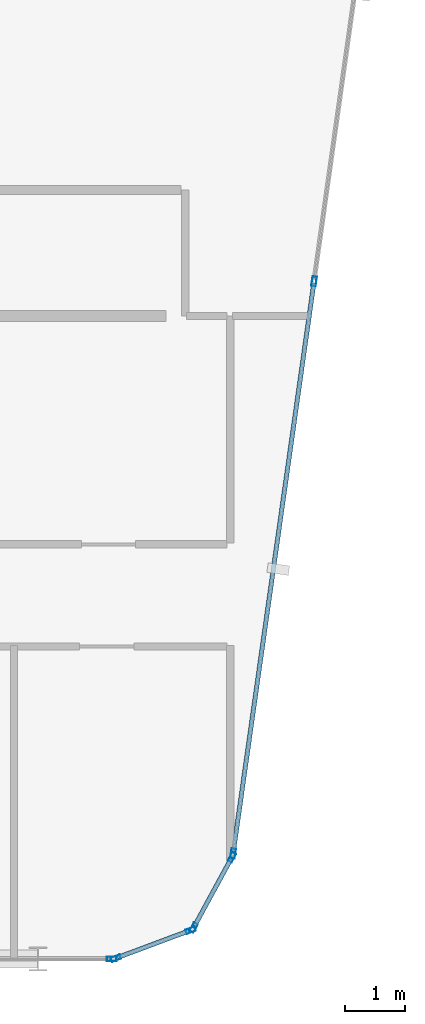
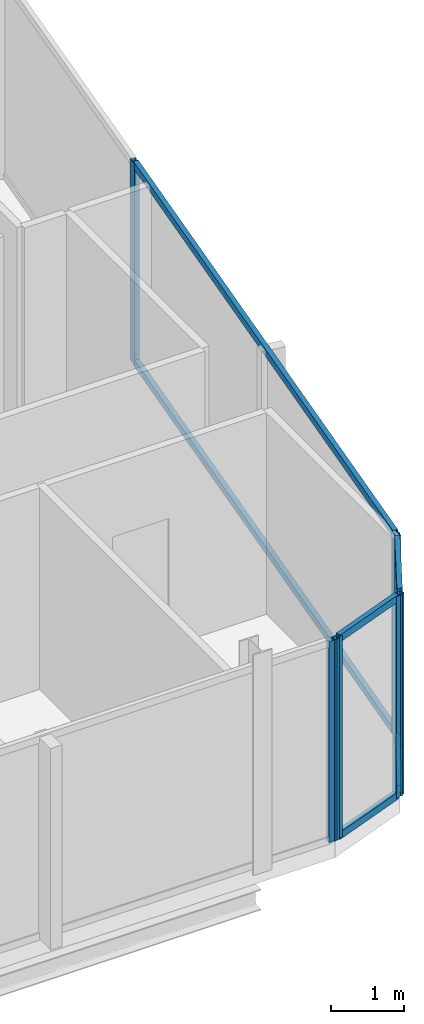
# One storey, part 12 of 27: 13 members, 4 elements without a shape of their own.
"""IFC4 building model written with IfcOpenShell, lengths in metres."""

from ifc_helpers import new_model, si_unit, direction, frame, origin, origin_2d, place, context, subcontext, project, spatial, hollow_rectangle, extrude, material, layer, layer_set, material_profile, profile_set, type_object, element, aggregate, save


model = new_model("IFC4")

# Units and contexts
model_context = context("Model", 3, precision=1e-05, world=origin(), true_north=direction((0.0, 1.0)))
body_context = subcontext(model_context, "Body", "Model", "MODEL_VIEW")
ifc_project = project(units=[si_unit("LENGTHUNIT", "METRE"), si_unit("AREAUNIT", "SQUARE_METRE"), si_unit("VOLUMEUNIT", "CUBIC_METRE"), si_unit("PLANEANGLEUNIT", "RADIAN"), si_unit("MASSUNIT", "GRAM", prefix="KILO")], contexts=[model_context])

# Site, building, storey
site_placement = place(None, origin())
site = spatial("IfcSite", under=ifc_project, at=site_placement, CompositionType="ELEMENT")
building_placement = place(site_placement, origin())
building = spatial("IfcBuilding", under=site, at=building_placement, Name="Keshet Zoharim Tower", CompositionType="ELEMENT")
storey_placement = place(building_placement, frame((0.0, 0.0, 295.39990234375)))
storey = spatial("IfcBuildingStorey", under=building, at=storey_placement, Name="L74", CompositionType="ELEMENT", Elevation=295.39990234375)

# Curtain wall, members
ifc_material = material(Name="Aluminium 6063-T6", Category="aluminium")
ifc_layer = layer(ifc_material, 0.260009765625)
ifc_layer_set = layer_set([ifc_layer], Name="Aluminium 6063-T6")
curtain_wall_type = type_object("IfcCurtainWallType", Name="CW-SYS-06", PredefinedType="NOTDEFINED", material=ifc_layer_set)
curtain_wall_1_placement = place(storey_placement, origin())
curtain_wall_1 = element("IfcCurtainWall", 1, at=curtain_wall_1_placement, inside=storey, type_object=curtain_wall_type, Name="L74 Unitised Curtain Wall 11", PredefinedType="NOTDEFINED")
ifc_material_profile_1 = material_profile(ifc_material, hollow_rectangle(XDim=0.074951171875, YDim=0.159912109375, WallThickness=0.00390625, at=origin_2d()), Name="MUL-75x160")
ifc_profile_set_1 = profile_set([ifc_material_profile_1], Name="Aluminium 6063-T6")
member_type_1 = type_object("IfcMemberType", Name="CWM-M15", PredefinedType="MULLION", material=ifc_profile_set_1)
member_1_placement = place(storey_placement, frame((43.595458984375, 17.97607421875, 0.0), z_axis=(0.0, 0.0, 1.0), x_axis=(0.990132057422, -0.140137464177, 0.0)))
member_1 = element("IfcMember", 2, at=member_1_placement, type_object=member_type_1, Name="CW-06 mullion 2", PredefinedType="MULLION", context=body_context, shape_type="SweptSolid", body=[
    extrude(hollow_rectangle(XDim=0.074951171875, YDim=0.159912109375, WallThickness=0.00390625, at=origin_2d()), origin(), (0.0, 0.0, 1.0), 3.380126953125),
])
member_2_placement = place(storey_placement, frame((42.247802734375, 8.45458984375, 0.0), z_axis=(0.0, 0.0, 1.0), x_axis=(0.990132057422, -0.140137464177, 0.0)))
member_2 = element("IfcMember", 3, at=member_2_placement, type_object=member_type_1, Name="CW-06 mullion 3", PredefinedType="MULLION", context=body_context, shape_type="SweptSolid", body=[
    extrude(hollow_rectangle(XDim=0.074951171875, YDim=0.159912109375, WallThickness=0.00390625, at=origin_2d()), origin(), (0.0, 0.0, 1.0), 3.380126953125),
])

curtain_wall_2_placement = place(storey_placement, origin())
curtain_wall_2 = element("IfcCurtainWall", 4, at=curtain_wall_2_placement, inside=storey, type_object=curtain_wall_type, Name="L74 Unitised Curtain Wall 12", PredefinedType="NOTDEFINED")
member_3_placement = place(storey_placement, frame((42.226318359375, 8.38916015625, 0.0), z_axis=(0.0, 0.0, 1.0), x_axis=(0.878468125004, -0.477800955789, 0.0)))
member_3 = element("IfcMember", 5, at=member_3_placement, type_object=member_type_1, Name="CW-06 mullion 1", PredefinedType="MULLION", context=body_context, shape_type="SweptSolid", body=[
    extrude(hollow_rectangle(XDim=0.074951171875, YDim=0.159912109375, WallThickness=0.00390625, at=origin_2d()), origin(), (0.0, 0.0, 1.0), 3.380126953125),
])
member_4_placement = place(storey_placement, frame((41.5908203125, 7.220703125, 0.0), z_axis=(0.0, 0.0, 1.0), x_axis=(0.878468125004, -0.477800955789, 0.0)))
member_4 = element("IfcMember", 6, at=member_4_placement, type_object=member_type_1, Name="CW-06 mullion 2", PredefinedType="MULLION", context=body_context, shape_type="SweptSolid", body=[
    extrude(hollow_rectangle(XDim=0.074951171875, YDim=0.159912109375, WallThickness=0.00390625, at=origin_2d()), origin(), (0.0, 0.0, 1.0), 3.380126953125),
])

curtain_wall_3_placement = place(storey_placement, origin())
curtain_wall_3 = element("IfcCurtainWall", 7, at=curtain_wall_3_placement, inside=storey, type_object=curtain_wall_type, Name="L74 Unitised Curtain Wall 13", PredefinedType="NOTDEFINED")
member_5_placement = place(storey_placement, frame((41.541259765625, 7.177734375, 0.0), z_axis=(0.0, 0.0, 1.0), x_axis=(0.350105315376, -0.936710343781, 0.0)))
member_5 = element("IfcMember", 8, at=member_5_placement, type_object=member_type_1, Name="CW-06 mullion 1", PredefinedType="MULLION", context=body_context, shape_type="SweptSolid", body=[
    extrude(hollow_rectangle(XDim=0.074951171875, YDim=0.159912109375, WallThickness=0.00390625, at=origin_2d()), origin(), (0.0, 0.0, 1.0), 3.380126953125),
])
member_6_placement = place(storey_placement, frame((40.2958984375, 6.712158203125, 0.0), z_axis=(0.0, 0.0, 1.0), x_axis=(0.350105315376, -0.936710343781, 0.0)))
member_6 = element("IfcMember", 9, at=member_6_placement, type_object=member_type_1, Name="CW-06 mullion 2", PredefinedType="MULLION", context=body_context, shape_type="SweptSolid", body=[
    extrude(hollow_rectangle(XDim=0.074951171875, YDim=0.159912109375, WallThickness=0.00390625, at=origin_2d()), origin(), (0.0, 0.0, 1.0), 3.380126953125),
])

# Curtain wall, member
curtain_wall_4_placement = place(storey_placement, origin())
curtain_wall_4 = element("IfcCurtainWall", 10, at=curtain_wall_4_placement, inside=storey, type_object=curtain_wall_type, Name="L74 Unitised Curtain Wall 14", PredefinedType="NOTDEFINED")
member_7_placement = place(storey_placement, frame((40.22802734375, 6.699951171875, 0.0), z_axis=(0.0, 0.0, 1.0), x_axis=(0.0, -1.0, 0.0)))
member_7 = element("IfcMember", 11, at=member_7_placement, type_object=member_type_1, Name="CW-06 mullion 1", PredefinedType="MULLION", context=body_context, shape_type="SweptSolid", body=[
    extrude(hollow_rectangle(XDim=0.074951171875, YDim=0.159912109375, WallThickness=0.00390625, at=origin_2d()), origin(), (0.0, 0.0, 1.0), 3.380126953125),
])
aggregate(curtain_wall_4, [member_7])

# Member
ifc_material_profile_2 = material_profile(ifc_material, hollow_rectangle(XDim=0.074951171875, YDim=0.1201171875, WallThickness=0.00390625, at=origin_2d()), Name="TRN-75x120")
ifc_profile_set_2 = profile_set([ifc_material_profile_2], Name="Aluminium 6063-T6")
member_type_2 = type_object("IfcMemberType", Name="CWT-T12", PredefinedType="USERDEFINED", material=ifc_profile_set_2)
member_8_placement = place(storey_placement, frame((43.590576171875, 17.94140625, 0.03515625), z_axis=(-0.14012154881, -0.990134309859, 0.0), x_axis=(0.990134309859, -0.14012154881, 0.0)))
member_8 = element("IfcMember", 12, at=member_8_placement, type_object=member_type_2, Name="CW-06 transom 2.1", ObjectType="TRANSOM", PredefinedType="USERDEFINED", context=body_context, shape_type="SweptSolid", body=[
    extrude(hollow_rectangle(XDim=0.074951171875, YDim=0.1201171875, WallThickness=0.00390625, at=origin_2d()), origin(), (0.0, 0.0, 1.0), 9.54638671875),
])

member_9_placement = place(storey_placement, frame((43.590576171875, 17.94140625, 3.34521484375), z_axis=(-0.14012154881, -0.990134309859, 0.0), x_axis=(0.990134309859, -0.14012154881, 0.0)))
member_9 = element("IfcMember", 13, at=member_9_placement, type_object=member_type_2, Name="CW-06 transom 2.2", ObjectType="TRANSOM", PredefinedType="USERDEFINED", context=body_context, shape_type="SweptSolid", body=[
    extrude(hollow_rectangle(XDim=0.074951171875, YDim=0.1201171875, WallThickness=0.00390625, at=origin_2d()), origin(), (0.0, 0.0, 1.0), 9.54638671875),
])

aggregate(curtain_wall_1, [member_1, member_2, member_8, member_9])

member_10_placement = place(storey_placement, frame((42.20947265625, 8.3583984375, 0.03515625), z_axis=(-0.47779293276, -0.878472488701, 0.0), x_axis=(0.878472488701, -0.47779293276, 0.0)))
member_10 = element("IfcMember", 14, at=member_10_placement, type_object=member_type_2, Name="CW-06 transom 1.1", ObjectType="TRANSOM", PredefinedType="USERDEFINED", context=body_context, shape_type="SweptSolid", body=[
    extrude(hollow_rectangle(XDim=0.074951171875, YDim=0.1201171875, WallThickness=0.00390625, at=origin_2d()), origin(), (0.0, 0.0, 1.0), 1.260009765625),
])

member_11_placement = place(storey_placement, frame((42.20947265625, 8.3583984375, 3.34521484375), z_axis=(-0.47779293276, -0.878472488701, 0.0), x_axis=(0.878472488701, -0.47779293276, 0.0)))
member_11 = element("IfcMember", 15, at=member_11_placement, type_object=member_type_2, Name="CW-06 transom 1.2", ObjectType="TRANSOM", PredefinedType="USERDEFINED", context=body_context, shape_type="SweptSolid", body=[
    extrude(hollow_rectangle(XDim=0.074951171875, YDim=0.1201171875, WallThickness=0.00390625, at=origin_2d()), origin(), (0.0, 0.0, 1.0), 1.260009765625),
])

aggregate(curtain_wall_2, [member_3, member_4, member_10, member_11])

member_12_placement = place(storey_placement, frame((41.508544921875, 7.16552734375, 0.03515625), z_axis=(-0.93673477759, -0.350039935512, 0.0), x_axis=(0.350039935512, -0.93673477759, 0.0)))
member_12 = element("IfcMember", 16, at=member_12_placement, type_object=member_type_2, Name="CW-06 transom 1.1", ObjectType="TRANSOM", PredefinedType="USERDEFINED", context=body_context, shape_type="SweptSolid", body=[
    extrude(hollow_rectangle(XDim=0.074951171875, YDim=0.1201171875, WallThickness=0.00390625, at=origin_2d()), origin(), (0.0, 0.0, 1.0), 1.259521484375),
])

member_13_placement = place(storey_placement, frame((41.508544921875, 7.16552734375, 3.34521484375), z_axis=(-0.93673477759, -0.350039935512, 0.0), x_axis=(0.350039935512, -0.93673477759, 0.0)))
member_13 = element("IfcMember", 17, at=member_13_placement, type_object=member_type_2, Name="CW-06 transom 1.2", ObjectType="TRANSOM", PredefinedType="USERDEFINED", context=body_context, shape_type="SweptSolid", body=[
    extrude(hollow_rectangle(XDim=0.074951171875, YDim=0.1201171875, WallThickness=0.00390625, at=origin_2d()), origin(), (0.0, 0.0, 1.0), 1.259521484375),
])

aggregate(curtain_wall_3, [member_5, member_6, member_12, member_13])

save(model, "model.ifc")
